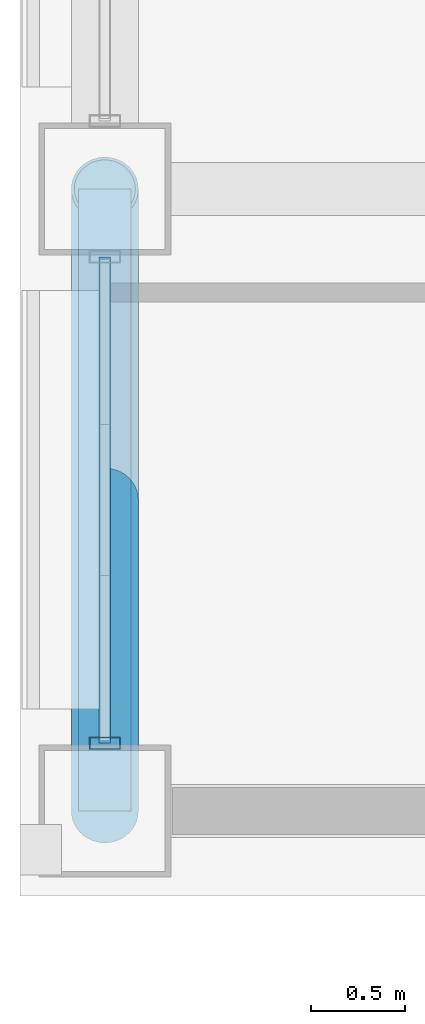
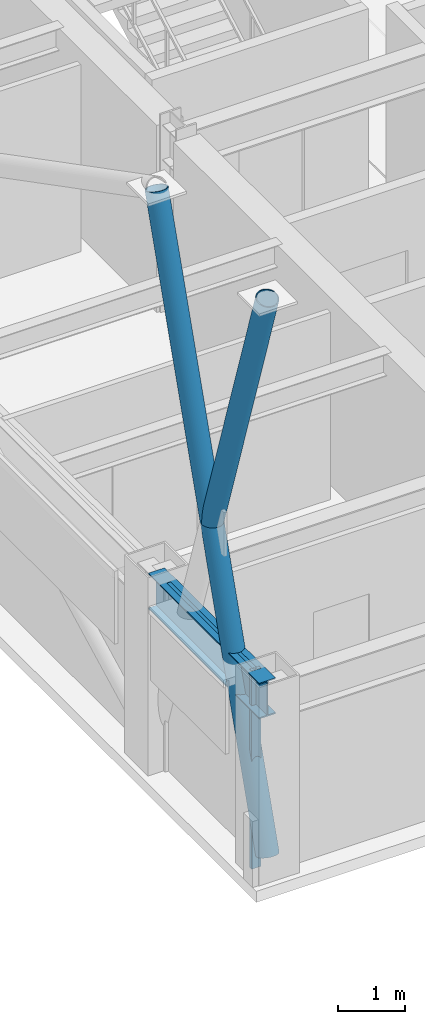
# One storey, part 3 of 33: 4 members, 1 beam, 1 element without a shape of its own.
"""IFC4 building model written with IfcOpenShell, lengths in metres."""

from ifc_helpers import new_model, si_unit, direction, frame, origin, origin_2d, place, context, subcontext, project, spatial, hollow_rectangle, hollow_circle, i_section, extrude, material, layer, layer_set, material_profile, profile_set, type_object, element, aggregate, save


model = new_model("IFC4")

# Units and contexts
model_context = context("Model", 3, precision=1e-05, world=origin(), true_north=direction((0.0, 1.0)))
body_context = subcontext(model_context, "Body", "Model", "MODEL_VIEW")
ifc_project = project(units=[si_unit("LENGTHUNIT", "METRE"), si_unit("AREAUNIT", "SQUARE_METRE"), si_unit("VOLUMEUNIT", "CUBIC_METRE"), si_unit("PLANEANGLEUNIT", "RADIAN"), si_unit("MASSUNIT", "GRAM", prefix="KILO")], contexts=[model_context])

# Site, building, storey
site_placement = place(None, origin())
site = spatial("IfcSite", under=ifc_project, at=site_placement, CompositionType="ELEMENT")
building_placement = place(site_placement, origin())
building = spatial("IfcBuilding", under=site, at=building_placement, Name="Brelmoor Portico Tower", CompositionType="ELEMENT")
storey_placement = place(building_placement, frame((0.0, 0.0, 183.89990234375)))
storey = spatial("IfcBuildingStorey", under=building, at=storey_placement, Name="L48", CompositionType="ELEMENT", Elevation=183.89990234375)

# Beam
ifc_material_1 = material(Name="Steel Q355B", Category="steel")
ifc_material_profile_1 = material_profile(ifc_material_1, i_section(OverallWidth=0.280029296875, OverallDepth=0.64990234375, WebThickness=0.012939453125, FlangeThickness=0.02197265625, at=origin_2d()), Name="HN 650x280x13x22")
ifc_profile_set_1 = profile_set([ifc_material_profile_1], Name="Steel Q355B")
beam_type = type_object("IfcBeamType", Name="BM-SP-650", PredefinedType="SPANDREL", material=ifc_profile_set_1)
beam_placement = place(storey_placement, frame((-20.550048828125, -13.050048828125, 3.0751953125), z_axis=(0.0, 1.0, 0.0), x_axis=(-1.0, 0.0, 0.0)))
element("IfcBeam", 1, at=beam_placement, inside=storey, type_object=beam_type, Name="L48 Perimeter Spandrel Beam SP-11", PredefinedType="SPANDREL", context=body_context, shape_type="SweptSolid", body=[
    extrude(i_section(OverallWidth=0.280029296875, OverallDepth=0.64990234375, WebThickness=0.012939453125, FlangeThickness=0.02197265625, at=origin_2d()), origin(), (0.0, 0.0, 1.0), 3.300048828125),
])

# Members
ifc_material_profile_2 = material_profile(ifc_material_1, hollow_circle(Radius=0.177978515625, WallThickness=0.01611328125, at=origin_2d()), Name="CHS 356x16")
ifc_profile_set_2 = profile_set([ifc_material_profile_2], Name="Steel Q355B")
member_type_1 = type_object("IfcMemberType", Name="MB-BELT-DIAG2", PredefinedType="BRACE", material=ifc_profile_set_2)
member_1_placement = place(storey_placement, frame((-20.550048828125, -13.050048828125, 0.25), z_axis=(0.0, 0.310576778545, 0.950548296842), x_axis=(-1.0, 0.0, 0.0)))
element("IfcMember", 2, at=member_1_placement, inside=storey, type_object=member_type_1, Name="L48 Continuous Mega-X Brace 111A", PredefinedType="BRACE", context=body_context, shape_type="SweptSolid", body=[
    extrude(hollow_circle(Radius=0.177978515625, WallThickness=0.01611328125, at=origin_2d()), origin(), (0.0, 0.0, 1.0), 10.62548828125),
])
member_2_placement = place(storey_placement, frame((-20.550048828125, -11.39990234375, 5.300048828125), z_axis=(0.0, -0.310597538786, 0.950541513507), x_axis=(1.0, 0.0, 0.0)))
element("IfcMember", 3, at=member_2_placement, inside=storey, type_object=member_type_1, Name="L48 Split Mega-X Brace 111B2", PredefinedType="BRACE", context=body_context, shape_type="SweptSolid", body=[
    extrude(hollow_circle(Radius=0.177978515625, WallThickness=0.01611328125, at=origin_2d()), origin(), (0.0, 0.0, 1.0), 5.312744140625),
])

# Curtain wall, members
ifc_material_2 = material(Name="Anodised Aluminium Alloy 6063-T6", Category="aluminium")
ifc_layer = layer(ifc_material_2, 0.179931640625)
ifc_layer_set = layer_set([ifc_layer], Name="Anodised Aluminium Alloy 6063-T6")
curtain_wall_type = type_object("IfcCurtainWallType", Name="CW-TOWER-Z3-XB", PredefinedType="NOTDEFINED", material=ifc_layer_set)
curtain_wall_placement = place(storey_placement, origin())
curtain_wall = element("IfcCurtainWall", 4, at=curtain_wall_placement, inside=storey, type_object=curtain_wall_type, Name="L48 Curtain Wall CW-L48-03-1", PredefinedType="NOTDEFINED")
ifc_material_profile_3 = material_profile(ifc_material_2, hollow_rectangle(XDim=0.06494140625, YDim=0.1650390625, WallThickness=0.00390625, at=origin_2d()), Name="ALU MULLION 65x165")
ifc_profile_set_3 = profile_set([ifc_material_profile_3], Name="Anodised Aluminium Alloy 6063-T6")
member_type_2 = type_object("IfcMemberType", Name="MB-CW-MULL-165", PredefinedType="MULLION", material=ifc_profile_set_3)
member_3_placement = place(storey_placement, frame((-20.550048828125, -12.68994140625, -0.199951171875), z_axis=(0.0, 0.0, 1.0), x_axis=(0.0, 1.0, 0.0)))
member_3 = element("IfcMember", 5, at=member_3_placement, type_object=member_type_2, Name="CW-L48-03-1 Mullion 00", PredefinedType="MULLION", context=body_context, shape_type="SweptSolid", body=[
    extrude(hollow_rectangle(XDim=0.06494140625, YDim=0.1650390625, WallThickness=0.00390625, at=origin_2d()), origin(), (0.0, 0.0, 1.0), 3.60009765625),
])
ifc_material_profile_4 = material_profile(ifc_material_2, hollow_rectangle(XDim=0.06005859375, YDim=0.125, WallThickness=0.00341796875, at=origin_2d()), Name="ALU TRANSOM 60x125")
ifc_profile_set_4 = profile_set([ifc_material_profile_4], Name="Anodised Aluminium Alloy 6063-T6")
member_type_3 = type_object("IfcMemberType", Name="MB-CW-TRAN-125", PredefinedType="USERDEFINED", material=ifc_profile_set_4)
member_4_placement = place(storey_placement, frame((-20.550048828125, -12.68994140625, 3.337646484375), z_axis=(0.0, 1.0, 0.0), x_axis=(-1.0, 0.0, 0.0)))
member_4 = element("IfcMember", 6, at=member_4_placement, type_object=member_type_3, Name="CW-L48-03-1 Transom 1-00", ObjectType="TRANSOM", PredefinedType="USERDEFINED", context=body_context, shape_type="SweptSolid", body=[
    extrude(hollow_rectangle(XDim=0.06005859375, YDim=0.125, WallThickness=0.00341796875, at=origin_2d()), origin(), (0.0, 0.0, 1.0), 2.579833984375),
])
aggregate(curtain_wall, [member_3, member_4])

save(model, "model.ifc")
